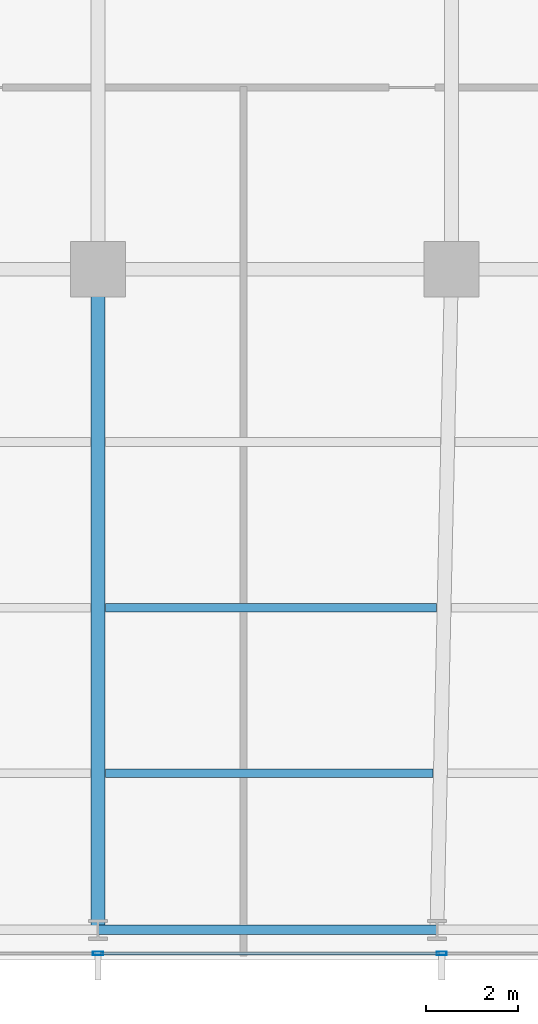
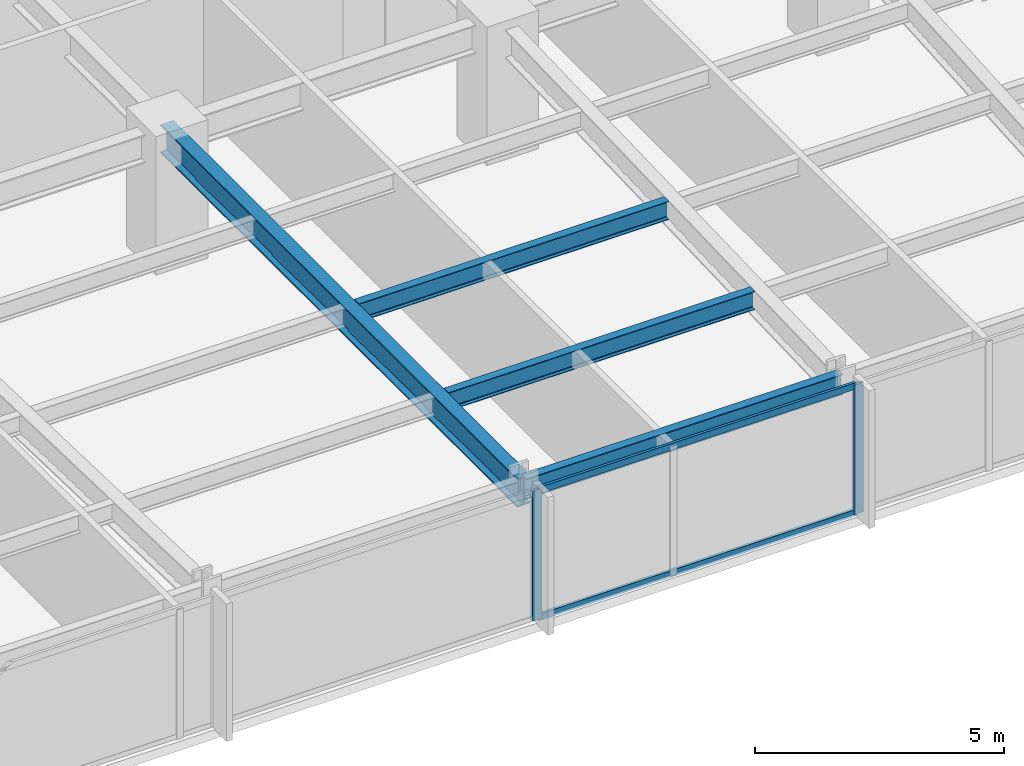
# One storey, part 11 of 33: 4 beams, 4 members, 1 element without a shape of its own.
"""IFC4 building model written with IfcOpenShell, lengths in metres."""

from ifc_helpers import new_model, si_unit, direction, frame, origin, origin_2d, place, context, subcontext, project, spatial, hollow_rectangle, i_section, extrude, material, material_profile, profile_set, type_object, element, aggregate, save


model = new_model("IFC4")

# Units and contexts
model_context = context("Model", 3, precision=1e-05, world=origin(), true_north=direction((0.0, 1.0)))
body_context = subcontext(model_context, "Body", "Model", "MODEL_VIEW")
ifc_project = project(units=[si_unit("LENGTHUNIT", "METRE"), si_unit("AREAUNIT", "SQUARE_METRE"), si_unit("VOLUMEUNIT", "CUBIC_METRE"), si_unit("PLANEANGLEUNIT", "RADIAN"), si_unit("MASSUNIT", "GRAM", prefix="KILO")], contexts=[model_context])

# Site, building, storey
site_placement = place(None, origin())
site = spatial("IfcSite", under=ifc_project, at=site_placement, CompositionType="ELEMENT")
building_placement = place(site_placement, origin())
building = spatial("IfcBuilding", under=site, at=building_placement, Name="Yelkora Congress Tower", CompositionType="ELEMENT")
storey_placement = place(building_placement, frame((0.0, 0.0, 64.39990234375)))
storey = spatial("IfcBuildingStorey", under=building, at=storey_placement, Name="L16", CompositionType="ELEMENT", Elevation=64.39990234375)

# Beams
ifc_material_1 = material(Name="Steel S355J2", Category="steel")
ifc_material_profile_1 = material_profile(ifc_material_1, i_section(OverallWidth=0.300048828125, OverallDepth=0.699951171875, WebThickness=0.01708984375, FlangeThickness=0.031982421875, FilletRadius=0.027099609375, at=origin_2d()), Name="HEB 700")
ifc_profile_set_1 = profile_set([ifc_material_profile_1], Name="Steel S355J2")
beam_type_1 = type_object("IfcBeamType", Name="BM-GIRD-HEB700", PredefinedType="BEAM", material=ifc_profile_set_1)
beam_1_placement = place(storey_placement, frame((38.39990234375, 10.85009765625, 2.830078125), z_axis=(0.0, 1.0, 0.0), x_axis=(-1.0, 0.0, 0.0)))
element("IfcBeam", 1, at=beam_1_placement, inside=storey, type_object=beam_type_1, Name="L16 Primary Frame Girder S05", PredefinedType="BEAM", context=body_context, shape_type="SweptSolid", body=[
    extrude(i_section(OverallWidth=0.300048828125, OverallDepth=0.699951171875, WebThickness=0.01708984375, FlangeThickness=0.031982421875, FilletRadius=0.027099609375, at=origin_2d()), origin(), (0.0, 0.0, 1.0), 14.349853515625),
])
ifc_material_profile_2 = material_profile(ifc_material_1, i_section(OverallWidth=0.18994140625, OverallDepth=0.449951171875, WebThickness=0.009521484375, FlangeThickness=0.0146484375, FilletRadius=0.02099609375, at=origin_2d()), Name="IPE 450")
ifc_profile_set_2 = profile_set([ifc_material_profile_2], Name="Steel S355J2")
beam_type_2 = type_object("IfcBeamType", Name="BM-JOIST-IPE450", PredefinedType="JOIST", material=ifc_profile_set_2)
beam_2_placement = place(storey_placement, frame((38.56005859375, 14.25, 2.955078125), z_axis=(1.0, 0.0, 0.0), x_axis=(0.0, 1.0, 0.0)))
element("IfcBeam", 2, at=beam_2_placement, inside=storey, type_object=beam_type_2, Name="L16 Composite Floor Joist 5", PredefinedType="JOIST", context=body_context, shape_type="SweptSolid", body=[
    extrude(i_section(OverallWidth=0.18994140625, OverallDepth=0.449951171875, WebThickness=0.009521484375, FlangeThickness=0.0146484375, FilletRadius=0.02099609375, at=origin_2d()), origin(), (0.0, 0.0, 1.0), 7.11767578125),
])
beam_3_placement = place(storey_placement, frame((38.56005859375, 17.85009765625, 2.955078125), z_axis=(1.0, 0.0, 0.0), x_axis=(0.0, 1.0, 0.0)))
element("IfcBeam", 3, at=beam_3_placement, inside=storey, type_object=beam_type_2, Name="L16 Composite Floor Joist 13", PredefinedType="JOIST", context=body_context, shape_type="SweptSolid", body=[
    extrude(i_section(OverallWidth=0.18994140625, OverallDepth=0.449951171875, WebThickness=0.009521484375, FlangeThickness=0.0146484375, FilletRadius=0.02099609375, at=origin_2d()), origin(), (0.0, 0.0, 1.0), 7.197265625),
])
ifc_material_profile_3 = material_profile(ifc_material_1, i_section(OverallWidth=0.199951171875, OverallDepth=0.5, WebThickness=0.01025390625, FlangeThickness=0.01611328125, FilletRadius=0.02099609375, at=origin_2d()), Name="IPE 500")
ifc_profile_set_3 = profile_set([ifc_material_profile_3], Name="Steel S355J2")
beam_type_3 = type_object("IfcBeamType", Name="BM-SPAN-IPE500", PredefinedType="SPANDREL", material=ifc_profile_set_3)
beam_4_placement = place(storey_placement, frame((38.39990234375, 10.85009765625, 2.93017578125), z_axis=(1.0, 0.0, 0.0), x_axis=(0.0, 1.0, 0.0)))
element("IfcBeam", 4, at=beam_4_placement, inside=storey, type_object=beam_type_3, Name="L16 Perimeter Beam 6", PredefinedType="SPANDREL", context=body_context, shape_type="SweptSolid", body=[
    extrude(i_section(OverallWidth=0.199951171875, OverallDepth=0.5, WebThickness=0.01025390625, FlangeThickness=0.01611328125, FilletRadius=0.02099609375, at=origin_2d()), origin(), (0.0, 0.0, 1.0), 7.362548828125),
])

# Curtain wall, members
ifc_material_2 = material(Name="Anodised aluminium and insulated glass", Category="aluminium")
curtain_wall_type = type_object("IfcCurtainWallType", Name="CW-SYS-B1", PredefinedType="NOTDEFINED", material=ifc_material_2)
curtain_wall_placement = place(storey_placement, origin())
curtain_wall = element("IfcCurtainWall", 5, at=curtain_wall_placement, inside=storey, type_object=curtain_wall_type, Name="L16 Unitised Curtain Wall 20", PredefinedType="NOTDEFINED")
ifc_material_3 = material(Name="Anodised aluminium 6063-T6", Category="aluminium")
ifc_material_profile_4 = material_profile(ifc_material_3, hollow_rectangle(XDim=0.074951171875, YDim=0.219970703125, WallThickness=0.0048828125, at=origin_2d()), Name="ALU 75x220x5")
ifc_profile_set_4 = profile_set([ifc_material_profile_4], Name="Anodised aluminium 6063-T6")
member_type_1 = type_object("IfcMemberType", Name="MEM-ML-B1", PredefinedType="MULLION", material=ifc_profile_set_4)
member_1_placement = place(storey_placement, frame((45.864990234375, 10.340087890625, 0.0), z_axis=(0.0, 0.0, 1.0), x_axis=(0.0, -1.0, 0.0)))
member_1 = element("IfcMember", 6, at=member_1_placement, type_object=member_type_1, Name="CW-B1 mullion 4", PredefinedType="MULLION", context=body_context, shape_type="SweptSolid", body=[
    extrude(hollow_rectangle(XDim=0.074951171875, YDim=0.219970703125, WallThickness=0.0048828125, at=origin_2d()), origin(), (0.0, 0.0, 1.0), 3.18017578125),
])
member_2_placement = place(storey_placement, frame((38.39990234375, 10.340087890625, 0.0), z_axis=(0.0, 0.0, 1.0), x_axis=(0.0, -1.0, 0.0)))
member_2 = element("IfcMember", 7, at=member_2_placement, type_object=member_type_1, Name="CW-B1 mullion 5", PredefinedType="MULLION", context=body_context, shape_type="SweptSolid", body=[
    extrude(hollow_rectangle(XDim=0.074951171875, YDim=0.219970703125, WallThickness=0.0048828125, at=origin_2d()), origin(), (0.0, 0.0, 1.0), 3.18017578125),
])
ifc_material_profile_5 = material_profile(ifc_material_3, hollow_rectangle(XDim=0.06494140625, YDim=0.159912109375, WallThickness=0.00390625, at=origin_2d()), Name="ALU 65x160x4")
ifc_profile_set_5 = profile_set([ifc_material_profile_5], Name="Anodised aluminium 6063-T6")
member_type_2 = type_object("IfcMemberType", Name="MEM-TR-B1", PredefinedType="USERDEFINED", material=ifc_profile_set_5)
member_3_placement = place(storey_placement, frame((45.827392578125, 10.340087890625, 0.03271484375), z_axis=(-1.0, 0.0, 0.0), x_axis=(0.0, -1.0, 0.0)))
member_3 = element("IfcMember", 8, at=member_3_placement, type_object=member_type_2, Name="CW-B1 transom 4.1", ObjectType="TRANSOM", PredefinedType="USERDEFINED", context=body_context, shape_type="SweptSolid", body=[
    extrude(hollow_rectangle(XDim=0.06494140625, YDim=0.159912109375, WallThickness=0.00390625, at=origin_2d()), origin(), (0.0, 0.0, 1.0), 7.389892578125),
])
member_4_placement = place(storey_placement, frame((45.827392578125, 10.340087890625, 3.147705078125), z_axis=(-1.0, 0.0, 0.0), x_axis=(0.0, -1.0, 0.0)))
member_4 = element("IfcMember", 9, at=member_4_placement, type_object=member_type_2, Name="CW-B1 transom 4.2", ObjectType="TRANSOM", PredefinedType="USERDEFINED", context=body_context, shape_type="SweptSolid", body=[
    extrude(hollow_rectangle(XDim=0.06494140625, YDim=0.159912109375, WallThickness=0.00390625, at=origin_2d()), origin(), (0.0, 0.0, 1.0), 7.389892578125),
])
aggregate(curtain_wall, [member_1, member_2, member_3, member_4])

save(model, "model.ifc")
